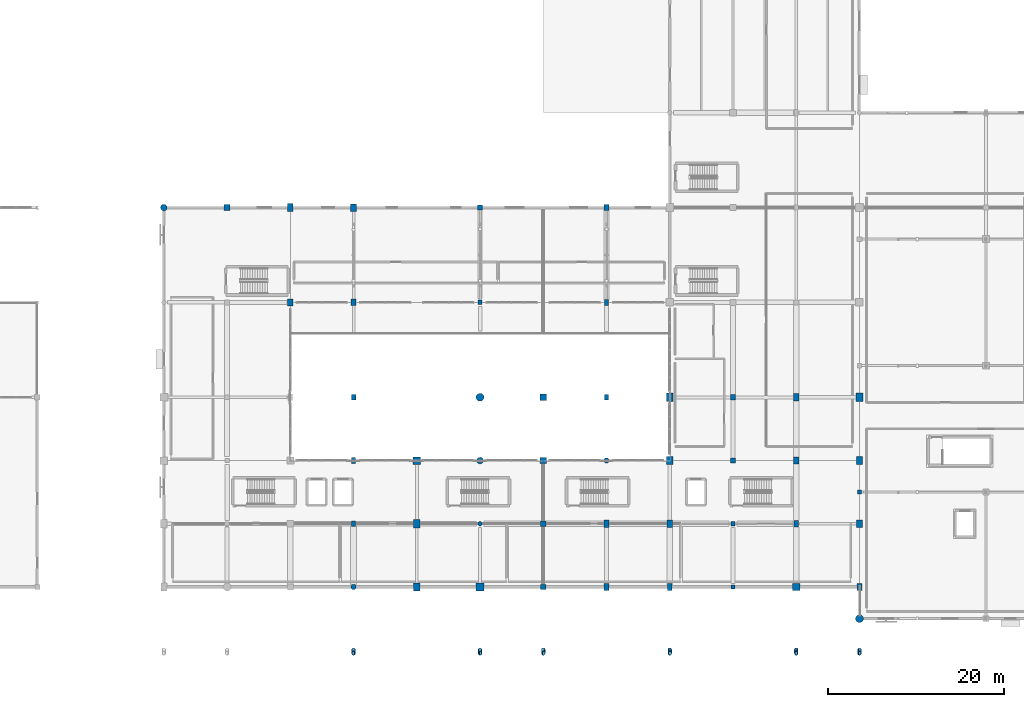
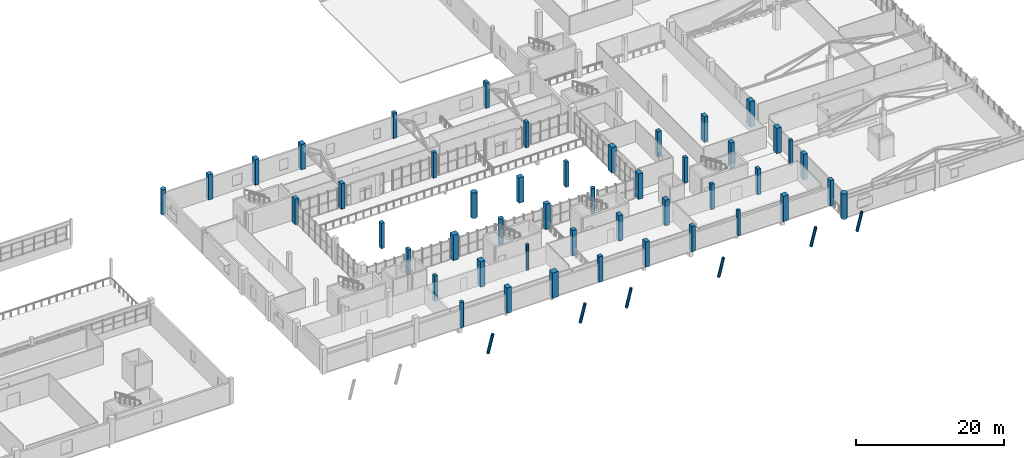
# One storey, part 6 of 92: 53 columns.
"""IFC4 building model written with IfcOpenShell, lengths in metres."""

from ifc_helpers import new_model, si_unit, direction, frame, origin, origin_2d, place, context, subcontext, project, spatial, rectangle, circle, hollow_circle, extrude, material, material_profile, profile_set, type_object, element, save


model = new_model("IFC4")

# Units and contexts
model_context = context("Model", 3, precision=1e-05, world=origin(), true_north=direction((0.0, 1.0)))
body_context = subcontext(model_context, "Body", "Model", "MODEL_VIEW")
ifc_project = project(units=[si_unit("LENGTHUNIT", "METRE"), si_unit("AREAUNIT", "SQUARE_METRE"), si_unit("VOLUMEUNIT", "CUBIC_METRE"), si_unit("PLANEANGLEUNIT", "RADIAN"), si_unit("MASSUNIT", "GRAM", prefix="KILO")], contexts=[model_context])

# Site, building, storey
site_placement = place(None, origin())
site = spatial("IfcSite", under=ifc_project, at=site_placement, CompositionType="ELEMENT")
building_placement = place(site_placement, origin())
building = spatial("IfcBuilding", under=site, at=building_placement, Name="Solanera Park Tramway Depot", CompositionType="ELEMENT")
storey_placement = place(building_placement, frame((0.0, 0.0, 4.800048828125)))
storey = spatial("IfcBuildingStorey", under=building, at=storey_placement, Name="L01", CompositionType="ELEMENT", Elevation=4.800048828125)

# Columns
ifc_material_1 = material(Name="Concrete N40 (C40/50)", Category="concrete")
ifc_material_profile_1 = material_profile(ifc_material_1, rectangle(XDim=0.449951171875, YDim=0.449951171875, at=origin_2d()), Name="RC 450x450")
ifc_profile_set_1 = profile_set([ifc_material_profile_1], Name="Concrete N40 (C40/50)")
column_type_1 = type_object("IfcColumnType", Name="RC Column Ext RC 450x450", PredefinedType="COLUMN", material=ifc_profile_set_1)
for number, where, z_axis, x_axis, name in (
    (1, (172.800048828125, 10.800048828125, 0.0), (0.0, 0.0, 1.0), (1.0, 0.0, 0.0), "L01 Column V4-X1728-Y108"),
    (2, (187.199951171875, 21.60009765625, 0.0), (0.0, 0.0, 1.0), (1.0, 0.0, 0.0), "L01 Column V5-X1872-Y216"),
):
    element("IfcColumn", number, at=place(storey_placement, frame(where, z_axis=z_axis, x_axis=x_axis)), inside=storey, type_object=column_type_1, Name=name, PredefinedType="COLUMN", context=body_context, shape_type="SweptSolid", body=[
        extrude(rectangle(XDim=0.449951171875, YDim=0.449951171875, at=origin_2d()), origin(), (0.0, 0.0, 1.0), 4.199951171875),
    ])
ifc_material_2 = material(Name="Concrete N40 (C40/50)", Category="concrete")
ifc_material_profile_2 = material_profile(ifc_material_2, rectangle(XDim=0.550048828125, YDim=0.550048828125, at=origin_2d()), Name="RC 550x550")
ifc_profile_set_2 = profile_set([ifc_material_profile_2], Name="Concrete N40 (C40/50)")
column_type_2 = type_object("IfcColumnType", Name="RC Column Ext RC 550x550", PredefinedType="COLUMN", material=ifc_profile_set_2)
column_1_placement = place(storey_placement, frame((144.0, 54.0, 0.0), z_axis=(0.0, 0.0, 1.0), x_axis=(1.0, 0.0, 0.0)))
element("IfcColumn", 3, at=column_1_placement, inside=storey, type_object=column_type_2, Name="L01 Column V4-X1440-Y540", PredefinedType="COLUMN", context=body_context, shape_type="SweptSolid", body=[
    extrude(rectangle(XDim=0.550048828125, YDim=0.550048828125, at=origin_2d()), origin(), (0.0, 0.0, 1.0), 4.199951171875),
])
ifc_material_3 = material(Name="Concrete N40 (C40/50)", Category="concrete")
ifc_material_profile_3 = material_profile(ifc_material_3, rectangle(XDim=0.550048828125, YDim=0.699951171875, at=origin_2d()), Name="RC 550x700")
ifc_profile_set_3 = profile_set([ifc_material_profile_3], Name="Concrete N40 (C40/50)")
column_type_3 = type_object("IfcColumnType", Name="RC Column Ext RC 550x700", PredefinedType="COLUMN", material=ifc_profile_set_3)
column_2_placement = place(storey_placement, frame((158.39990234375, 54.0, 0.0), z_axis=(0.0, 0.0, 1.0), x_axis=(1.0, 0.0, 0.0)))
element("IfcColumn", 4, at=column_2_placement, inside=storey, type_object=column_type_3, Name="L01 Column V4-X1584-Y540", PredefinedType="COLUMN", context=body_context, shape_type="SweptSolid", body=[
    extrude(rectangle(XDim=0.550048828125, YDim=0.699951171875, at=origin_2d()), origin(), (0.0, 0.0, 1.0), 4.199951171875),
])
ifc_material_4 = material(Name="Concrete N40 (C40/50)", Category="concrete")
ifc_material_profile_4 = material_profile(ifc_material_4, rectangle(XDim=0.550048828125, YDim=0.75, at=origin_2d()), Name="RC 550x750")
ifc_profile_set_4 = profile_set([ifc_material_profile_4], Name="Concrete N40 (C40/50)")
column_type_4 = type_object("IfcColumnType", Name="RC Column Ext RC 550x750", PredefinedType="COLUMN", material=ifc_profile_set_4)
for number, where, z_axis, x_axis, name in (
    (5, (165.60009765625, 10.800048828125, 0.0), (0.0, 0.0, 1.0), (1.0, 0.0, 0.0), "L01 Column V4-X1656-Y108"),
    (6, (187.199951171875, 10.800048828125, 0.0), (0.0, 0.0, 1.0), (1.0, 0.0, 0.0), "L01 Column V4-X1872-Y108"),
):
    element("IfcColumn", number, at=place(storey_placement, frame(where, z_axis=z_axis, x_axis=x_axis)), inside=storey, type_object=column_type_4, Name=name, PredefinedType="COLUMN", context=body_context, shape_type="SweptSolid", body=[
        extrude(rectangle(XDim=0.550048828125, YDim=0.75, at=origin_2d()), origin(), (0.0, 0.0, 1.0), 4.199951171875),
    ])
ifc_material_5 = material(Name="Concrete N40 (C40/50)", Category="concrete")
ifc_material_profile_5 = material_profile(ifc_material_5, rectangle(XDim=0.60009765625, YDim=0.60009765625, at=origin_2d()), Name="RC 600x600")
ifc_profile_set_5 = profile_set([ifc_material_profile_5], Name="Concrete N40 (C40/50)")
column_type_5 = type_object("IfcColumnType", Name="RC Column Ext RC 600x600", PredefinedType="COLUMN", material=ifc_profile_set_5)
column_3_placement = place(storey_placement, frame((151.199951171875, 10.800048828125, 0.0), z_axis=(0.0, 0.0, 1.0), x_axis=(1.0, 0.0, 0.0)))
element("IfcColumn", 7, at=column_3_placement, inside=storey, type_object=column_type_5, Name="L01 Column V4-X1512-Y108", PredefinedType="COLUMN", context=body_context, shape_type="SweptSolid", body=[
    extrude(rectangle(XDim=0.60009765625, YDim=0.60009765625, at=origin_2d()), origin(), (0.0, 0.0, 1.0), 4.199951171875),
])
ifc_material_6 = material(Name="Concrete N40 (C40/50)", Category="concrete")
ifc_material_profile_6 = material_profile(ifc_material_6, rectangle(XDim=0.60009765625, YDim=0.800048828125, at=origin_2d()), Name="RC 600x800")
ifc_profile_set_6 = profile_set([ifc_material_profile_6], Name="Concrete N40 (C40/50)")
column_type_6 = type_object("IfcColumnType", Name="RC Column Ext RC 600x800", PredefinedType="COLUMN", material=ifc_profile_set_6)
column_4_placement = place(storey_placement, frame((158.39990234375, 10.800048828125, 0.0), z_axis=(0.0, 0.0, 1.0), x_axis=(1.0, 0.0, 0.0)))
element("IfcColumn", 8, at=column_4_placement, inside=storey, type_object=column_type_6, Name="L01 Column V4-X1584-Y108", PredefinedType="COLUMN", context=body_context, shape_type="SweptSolid", body=[
    extrude(rectangle(XDim=0.60009765625, YDim=0.800048828125, at=origin_2d()), origin(), (0.0, 0.0, 1.0), 4.199951171875),
])
ifc_material_7 = material(Name="Concrete N40 (C40/50)", Category="concrete")
ifc_material_profile_7 = material_profile(ifc_material_7, rectangle(XDim=0.60009765625, YDim=0.89990234375, at=origin_2d()), Name="RC 600x900")
ifc_profile_set_7 = profile_set([ifc_material_profile_7], Name="Concrete N40 (C40/50)")
column_type_7 = type_object("IfcColumnType", Name="RC Column Ext RC 600x900", PredefinedType="COLUMN", material=ifc_profile_set_7)
column_5_placement = place(storey_placement, frame((122.39990234375, 54.0, 0.0), z_axis=(0.0, 0.0, 1.0), x_axis=(1.0, 0.0, 0.0)))
element("IfcColumn", 9, at=column_5_placement, inside=storey, type_object=column_type_7, Name="L01 Column V4-X1224-Y540", PredefinedType="COLUMN", context=body_context, shape_type="SweptSolid", body=[
    extrude(rectangle(XDim=0.60009765625, YDim=0.89990234375, at=origin_2d()), origin(), (0.0, 0.0, 1.0), 4.199951171875),
])
ifc_material_8 = material(Name="Concrete N40 (C40/50)", Category="concrete")
ifc_material_profile_8 = material_profile(ifc_material_8, rectangle(XDim=0.64990234375, YDim=0.64990234375, at=origin_2d()), Name="RC 650x650")
ifc_profile_set_8 = profile_set([ifc_material_profile_8], Name="Concrete N40 (C40/50)")
column_type_8 = type_object("IfcColumnType", Name="RC Column Ext RC 650x650", PredefinedType="COLUMN", material=ifc_profile_set_8)
column_6_placement = place(storey_placement, frame((115.199951171875, 54.0, 0.0), z_axis=(0.0, 0.0, 1.0), x_axis=(1.0, 0.0, 0.0)))
element("IfcColumn", 10, at=column_6_placement, inside=storey, type_object=column_type_8, Name="L01 Column V4-X1152-Y540", PredefinedType="COLUMN", context=body_context, shape_type="SweptSolid", body=[
    extrude(rectangle(XDim=0.64990234375, YDim=0.64990234375, at=origin_2d()), origin(), (0.0, 0.0, 1.0), 4.199951171875),
])
ifc_material_9 = material(Name="Concrete N40 (C40/50)", Category="concrete")
ifc_material_profile_9 = material_profile(ifc_material_9, rectangle(XDim=0.64990234375, YDim=0.85009765625, at=origin_2d()), Name="RC 650x850")
ifc_profile_set_9 = profile_set([ifc_material_profile_9], Name="Concrete N40 (C40/50)")
column_type_9 = type_object("IfcColumnType", Name="RC Column Ext RC 650x850", PredefinedType="COLUMN", material=ifc_profile_set_9)
for number, where, z_axis, x_axis, name in (
    (11, (129.60009765625, 54.0, 0.0), (0.0, 0.0, 1.0), (1.0, 0.0, 0.0), "L01 Column V4-X1296-Y540"),
    (12, (187.199951171875, 18.0, 0.0), (0.0, 0.0, 1.0), (1.0, 0.0, 0.0), "L01 Column V4-X1872-Y180"),
):
    element("IfcColumn", number, at=place(storey_placement, frame(where, z_axis=z_axis, x_axis=x_axis)), inside=storey, type_object=column_type_9, Name=name, PredefinedType="COLUMN", context=body_context, shape_type="SweptSolid", body=[
        extrude(rectangle(XDim=0.64990234375, YDim=0.85009765625, at=origin_2d()), origin(), (0.0, 0.0, 1.0), 4.199951171875),
    ])
ifc_material_10 = material(Name="Concrete N40 (C40/50)", Category="concrete")
ifc_material_profile_10 = material_profile(ifc_material_10, rectangle(XDim=0.699951171875, YDim=0.89990234375, at=origin_2d()), Name="RC 700x900")
ifc_profile_set_10 = profile_set([ifc_material_profile_10], Name="Concrete N40 (C40/50)")
column_type_10 = type_object("IfcColumnType", Name="RC Column Ext RC 700x900", PredefinedType="COLUMN", material=ifc_profile_set_10)
for number, where, z_axis, x_axis, name in (
    (13, (136.800048828125, 10.800048828125, 0.0), (0.0, 0.0, 1.0), (1.0, 0.0, 0.0), "L01 Column V4-X1368-Y108"),
    (14, (187.199951171875, 25.199951171875, 0.0), (0.0, 0.0, 1.0), (1.0, 0.0, 0.0), "L01 Column V4-X1872-Y252"),
):
    element("IfcColumn", number, at=place(storey_placement, frame(where, z_axis=z_axis, x_axis=x_axis)), inside=storey, type_object=column_type_10, Name=name, PredefinedType="COLUMN", context=body_context, shape_type="SweptSolid", body=[
        extrude(rectangle(XDim=0.699951171875, YDim=0.89990234375, at=origin_2d()), origin(), (0.0, 0.0, 1.0), 4.199951171875),
    ])
ifc_material_11 = material(Name="Concrete N40 (C40/50)", Category="concrete")
ifc_material_profile_11 = material_profile(ifc_material_11, rectangle(XDim=0.75, YDim=0.949951171875, at=origin_2d()), Name="RC 750x950")
ifc_profile_set_11 = profile_set([ifc_material_profile_11], Name="Concrete N40 (C40/50)")
column_type_11 = type_object("IfcColumnType", Name="RC Column Ext RC 750x950", PredefinedType="COLUMN", material=ifc_profile_set_11)
column_7_placement = place(storey_placement, frame((187.199951171875, 32.39990234375, 0.0), z_axis=(0.0, 0.0, 1.0), x_axis=(1.0, 0.0, 0.0)))
element("IfcColumn", 15, at=column_7_placement, inside=storey, type_object=column_type_11, Name="L01 Column V4-X1872-Y324", PredefinedType="COLUMN", context=body_context, shape_type="SweptSolid", body=[
    extrude(rectangle(XDim=0.75, YDim=0.949951171875, at=origin_2d()), origin(), (0.0, 0.0, 1.0), 4.199951171875),
])
ifc_material_12 = material(Name="Concrete N40 (C40/50)", Category="concrete")
ifc_material_profile_12 = material_profile(ifc_material_12, rectangle(XDim=0.800048828125, YDim=0.800048828125, at=origin_2d()), Name="RC 800x800")
ifc_profile_set_12 = profile_set([ifc_material_profile_12], Name="Concrete N40 (C40/50)")
column_type_12 = type_object("IfcColumnType", Name="RC Column Ext RC 800x800", PredefinedType="COLUMN", material=ifc_profile_set_12)
column_8_placement = place(storey_placement, frame((180.0, 10.800048828125, 0.0), z_axis=(0.0, 0.0, 1.0), x_axis=(1.0, 0.0, 0.0)))
element("IfcColumn", 16, at=column_8_placement, inside=storey, type_object=column_type_12, Name="L01 Column V4-X1800-Y108", PredefinedType="COLUMN", context=body_context, shape_type="SweptSolid", body=[
    extrude(rectangle(XDim=0.800048828125, YDim=0.800048828125, at=origin_2d()), origin(), (0.0, 0.0, 1.0), 4.199951171875),
])
ifc_material_13 = material(Name="Concrete N40 (C40/50)", Category="concrete")
ifc_material_profile_13 = material_profile(ifc_material_13, rectangle(XDim=0.89990234375, YDim=0.89990234375, at=origin_2d()), Name="RC 900x900")
ifc_profile_set_13 = profile_set([ifc_material_profile_13], Name="Concrete N40 (C40/50)")
column_type_13 = type_object("IfcColumnType", Name="RC Column Ext RC 900x900", PredefinedType="COLUMN", material=ifc_profile_set_13)
column_9_placement = place(storey_placement, frame((144.0, 10.800048828125, 0.0), z_axis=(0.0, 0.0, 1.0), x_axis=(1.0, 0.0, 0.0)))
element("IfcColumn", 17, at=column_9_placement, inside=storey, type_object=column_type_13, Name="L01 Column V4-X1440-Y108", PredefinedType="COLUMN", context=body_context, shape_type="SweptSolid", body=[
    extrude(rectangle(XDim=0.89990234375, YDim=0.89990234375, at=origin_2d()), origin(), (0.0, 0.0, 1.0), 4.199951171875),
])
ifc_material_14 = material(Name="Concrete N40 (C40/50)", Category="concrete")
ifc_material_profile_14 = material_profile(ifc_material_14, circle(Radius=0.300048828125, at=origin_2d()), Name="RC D600")
ifc_profile_set_14 = profile_set([ifc_material_profile_14], Name="Concrete N40 (C40/50)")
column_type_14 = type_object("IfcColumnType", Name="RC Column Ext RC D600", PredefinedType="COLUMN", material=ifc_profile_set_14)
column_10_placement = place(storey_placement, frame((129.60009765625, 10.800048828125, 0.0), z_axis=(0.0, 0.0, 1.0), x_axis=(1.0, 0.0, 0.0)))
element("IfcColumn", 18, at=column_10_placement, inside=storey, type_object=column_type_14, Name="L01 Column V4-X1296-Y108", PredefinedType="COLUMN", context=body_context, shape_type="SweptSolid", body=[
    extrude(circle(Radius=0.300048828125, at=origin_2d()), origin(), (0.0, 0.0, 1.0), 4.199951171875),
])
ifc_material_15 = material(Name="Concrete N40 (C40/50)", Category="concrete")
ifc_material_profile_15 = material_profile(ifc_material_15, circle(Radius=0.375, at=origin_2d()), Name="RC D750")
ifc_profile_set_15 = profile_set([ifc_material_profile_15], Name="Concrete N40 (C40/50)")
column_type_15 = type_object("IfcColumnType", Name="RC Column Ext RC D750", PredefinedType="COLUMN", material=ifc_profile_set_15)
column_11_placement = place(storey_placement, frame((108.0, 54.0, 0.0), z_axis=(0.0, 0.0, 1.0), x_axis=(1.0, 0.0, 0.0)))
element("IfcColumn", 19, at=column_11_placement, inside=storey, type_object=column_type_15, Name="L01 Column V4-X1080-Y540", PredefinedType="COLUMN", context=body_context, shape_type="SweptSolid", body=[
    extrude(circle(Radius=0.375, at=origin_2d()), origin(), (0.0, 0.0, 1.0), 4.199951171875),
])
ifc_material_16 = material(Name="Concrete N40 (C40/50)", Category="concrete")
ifc_material_profile_16 = material_profile(ifc_material_16, circle(Radius=0.449951171875, at=origin_2d()), Name="RC D900")
ifc_profile_set_16 = profile_set([ifc_material_profile_16], Name="Concrete N40 (C40/50)")
column_type_16 = type_object("IfcColumnType", Name="RC Column Ext RC D900", PredefinedType="COLUMN", material=ifc_profile_set_16)
column_12_placement = place(storey_placement, frame((187.199951171875, 7.199951171875, 0.0), z_axis=(0.0, 0.0, 1.0), x_axis=(1.0, 0.0, 0.0)))
element("IfcColumn", 20, at=column_12_placement, inside=storey, type_object=column_type_16, Name="L01 Column V5-X1872-Y72", PredefinedType="COLUMN", context=body_context, shape_type="SweptSolid", body=[
    extrude(circle(Radius=0.449951171875, at=origin_2d()), origin(), (0.0, 0.0, 1.0), 4.199951171875),
])
ifc_material_17 = material(Name="Concrete N40 (C40/50)", Category="concrete")
ifc_material_profile_17 = material_profile(ifc_material_17, rectangle(XDim=0.449951171875, YDim=0.60009765625, at=origin_2d()), Name="RC 450x600")
ifc_profile_set_17 = profile_set([ifc_material_profile_17], Name="Concrete N40 (C40/50)")
column_type_17 = type_object("IfcColumnType", Name="RC Column Int RC 450x600", PredefinedType="COLUMN", material=ifc_profile_set_17)
for number, where, z_axis, x_axis, name in (
    (21, (129.60009765625, 18.0, 0.0), (0.0, 0.0, 1.0), (1.0, 0.0, 0.0), "L01 Column V4-X1296-Y180"),
    (22, (158.39990234375, 32.39990234375, 0.0), (0.0, 0.0, 1.0), (1.0, 0.0, 0.0), "L01 Column V4-X1584-Y324"),
):
    element("IfcColumn", number, at=place(storey_placement, frame(where, z_axis=z_axis, x_axis=x_axis)), inside=storey, type_object=column_type_17, Name=name, PredefinedType="COLUMN", context=body_context, shape_type="SweptSolid", body=[
        extrude(rectangle(XDim=0.449951171875, YDim=0.60009765625, at=origin_2d()), origin(), (0.0, 0.0, 1.0), 4.199951171875),
    ])
ifc_material_18 = material(Name="Concrete N40 (C40/50)", Category="concrete")
ifc_material_profile_18 = material_profile(ifc_material_18, rectangle(XDim=0.449951171875, YDim=0.699951171875, at=origin_2d()), Name="RC 450x700")
ifc_profile_set_18 = profile_set([ifc_material_profile_18], Name="Concrete N40 (C40/50)")
column_type_18 = type_object("IfcColumnType", Name="RC Column Int RC 450x700", PredefinedType="COLUMN", material=ifc_profile_set_18)
column_13_placement = place(storey_placement, frame((129.60009765625, 25.199951171875, 0.0), z_axis=(0.0, 0.0, 1.0), x_axis=(1.0, 0.0, 0.0)))
element("IfcColumn", 23, at=column_13_placement, inside=storey, type_object=column_type_18, Name="L01 Column V4-X1296-Y252", PredefinedType="COLUMN", context=body_context, shape_type="SweptSolid", body=[
    extrude(rectangle(XDim=0.449951171875, YDim=0.699951171875, at=origin_2d()), origin(), (0.0, 0.0, 1.0), 4.199951171875),
])
ifc_material_19 = material(Name="Concrete N40 (C40/50)", Category="concrete")
ifc_material_profile_19 = material_profile(ifc_material_19, rectangle(XDim=0.5, YDim=0.5, at=origin_2d()), Name="RC 500x500")
ifc_profile_set_19 = profile_set([ifc_material_profile_19], Name="Concrete N40 (C40/50)")
column_type_19 = type_object("IfcColumnType", Name="RC Column Int RC 500x500", PredefinedType="COLUMN", material=ifc_profile_set_19)
for number, where, z_axis, x_axis, name in (
    (24, (144.0, 43.199951171875, 0.0), (0.0, 0.0, 1.0), (1.0, 0.0, 0.0), "L01 Column V4-X1440-Y432"),
    (25, (172.800048828125, 18.0, 0.0), (0.0, 0.0, 1.0), (1.0, 0.0, 0.0), "L01 Column V4-X1728-Y180"),
):
    element("IfcColumn", number, at=place(storey_placement, frame(where, z_axis=z_axis, x_axis=x_axis)), inside=storey, type_object=column_type_19, Name=name, PredefinedType="COLUMN", context=body_context, shape_type="SweptSolid", body=[
        extrude(rectangle(XDim=0.5, YDim=0.5, at=origin_2d()), origin(), (0.0, 0.0, 1.0), 4.199951171875),
    ])
ifc_material_20 = material(Name="Concrete N40 (C40/50)", Category="concrete")
ifc_material_profile_20 = material_profile(ifc_material_20, rectangle(XDim=0.5, YDim=0.64990234375, at=origin_2d()), Name="RC 500x650")
ifc_profile_set_20 = profile_set([ifc_material_profile_20], Name="Concrete N40 (C40/50)")
column_type_20 = type_object("IfcColumnType", Name="RC Column Int RC 500x650", PredefinedType="COLUMN", material=ifc_profile_set_20)
for number, where, z_axis, x_axis, name in (
    (26, (129.60009765625, 32.39990234375, 0.0), (0.0, 0.0, 1.0), (1.0, 0.0, 0.0), "L01 Column V4-X1296-Y324"),
    (27, (158.39990234375, 43.199951171875, 0.0), (0.0, 0.0, 1.0), (1.0, 0.0, 0.0), "L01 Column V4-X1584-Y432"),
):
    element("IfcColumn", number, at=place(storey_placement, frame(where, z_axis=z_axis, x_axis=x_axis)), inside=storey, type_object=column_type_20, Name=name, PredefinedType="COLUMN", context=body_context, shape_type="SweptSolid", body=[
        extrude(rectangle(XDim=0.5, YDim=0.64990234375, at=origin_2d()), origin(), (0.0, 0.0, 1.0), 4.199951171875),
    ])
ifc_material_21 = material(Name="Concrete N40 (C40/50)", Category="concrete")
ifc_material_profile_21 = material_profile(ifc_material_21, rectangle(XDim=0.5, YDim=0.699951171875, at=origin_2d()), Name="RC 500x700")
ifc_profile_set_21 = profile_set([ifc_material_profile_21], Name="Concrete N40 (C40/50)")
column_type_21 = type_object("IfcColumnType", Name="RC Column Int RC 500x700", PredefinedType="COLUMN", material=ifc_profile_set_21)
column_14_placement = place(storey_placement, frame((180.0, 18.0, 0.0), z_axis=(0.0, 0.0, 1.0), x_axis=(1.0, 0.0, 0.0)))
element("IfcColumn", 28, at=column_14_placement, inside=storey, type_object=column_type_21, Name="L01 Column V4-X1800-Y180", PredefinedType="COLUMN", context=body_context, shape_type="SweptSolid", body=[
    extrude(rectangle(XDim=0.5, YDim=0.699951171875, at=origin_2d()), origin(), (0.0, 0.0, 1.0), 4.199951171875),
])
ifc_material_22 = material(Name="Concrete N40 (C40/50)", Category="concrete")
ifc_material_profile_22 = material_profile(ifc_material_22, rectangle(XDim=0.550048828125, YDim=0.550048828125, at=origin_2d()), Name="RC 550x550")
ifc_profile_set_22 = profile_set([ifc_material_profile_22], Name="Concrete N40 (C40/50)")
column_type_22 = type_object("IfcColumnType", Name="RC Column Int RC 550x550", PredefinedType="COLUMN", material=ifc_profile_set_22)
column_15_placement = place(storey_placement, frame((172.800048828125, 25.199951171875, 0.0), z_axis=(0.0, 0.0, 1.0), x_axis=(1.0, 0.0, 0.0)))
element("IfcColumn", 29, at=column_15_placement, inside=storey, type_object=column_type_22, Name="L01 Column V4-X1728-Y252", PredefinedType="COLUMN", context=body_context, shape_type="SweptSolid", body=[
    extrude(rectangle(XDim=0.550048828125, YDim=0.550048828125, at=origin_2d()), origin(), (0.0, 0.0, 1.0), 4.199951171875),
])
ifc_material_23 = material(Name="Concrete N40 (C40/50)", Category="concrete")
ifc_material_profile_23 = material_profile(ifc_material_23, rectangle(XDim=0.550048828125, YDim=0.75, at=origin_2d()), Name="RC 550x750")
ifc_profile_set_23 = profile_set([ifc_material_profile_23], Name="Concrete N40 (C40/50)")
column_type_23 = type_object("IfcColumnType", Name="RC Column Int RC 550x750", PredefinedType="COLUMN", material=ifc_profile_set_23)
column_16_placement = place(storey_placement, frame((129.60009765625, 43.199951171875, 0.0), z_axis=(0.0, 0.0, 1.0), x_axis=(1.0, 0.0, 0.0)))
element("IfcColumn", 30, at=column_16_placement, inside=storey, type_object=column_type_23, Name="L01 Column V4-X1296-Y432", PredefinedType="COLUMN", context=body_context, shape_type="SweptSolid", body=[
    extrude(rectangle(XDim=0.550048828125, YDim=0.75, at=origin_2d()), origin(), (0.0, 0.0, 1.0), 4.199951171875),
])
ifc_material_24 = material(Name="Concrete N40 (C40/50)", Category="concrete")
ifc_material_profile_24 = material_profile(ifc_material_24, rectangle(XDim=0.60009765625, YDim=0.60009765625, at=origin_2d()), Name="RC 600x600")
ifc_profile_set_24 = profile_set([ifc_material_profile_24], Name="Concrete N40 (C40/50)")
column_type_24 = type_object("IfcColumnType", Name="RC Column Int RC 600x600", PredefinedType="COLUMN", material=ifc_profile_set_24)
column_17_placement = place(storey_placement, frame((172.800048828125, 32.39990234375, 0.0), z_axis=(0.0, 0.0, 1.0), x_axis=(1.0, 0.0, 0.0)))
element("IfcColumn", 31, at=column_17_placement, inside=storey, type_object=column_type_24, Name="L01 Column V4-X1728-Y324", PredefinedType="COLUMN", context=body_context, shape_type="SweptSolid", body=[
    extrude(rectangle(XDim=0.60009765625, YDim=0.60009765625, at=origin_2d()), origin(), (0.0, 0.0, 1.0), 4.199951171875),
])
ifc_material_25 = material(Name="Concrete N40 (C40/50)", Category="concrete")
ifc_material_profile_25 = material_profile(ifc_material_25, rectangle(XDim=0.60009765625, YDim=0.800048828125, at=origin_2d()), Name="RC 600x800")
ifc_profile_set_25 = profile_set([ifc_material_profile_25], Name="Concrete N40 (C40/50)")
column_type_25 = type_object("IfcColumnType", Name="RC Column Int RC 600x800", PredefinedType="COLUMN", material=ifc_profile_set_25)
for number, where, z_axis, x_axis, name in (
    (32, (122.39990234375, 43.199951171875, 0.0), (0.0, 0.0, 1.0), (1.0, 0.0, 0.0), "L01 Column V4-X1224-Y432"),
    (33, (180.0, 25.199951171875, 0.0), (0.0, 0.0, 1.0), (1.0, 0.0, 0.0), "L01 Column V4-X1800-Y252"),
):
    element("IfcColumn", number, at=place(storey_placement, frame(where, z_axis=z_axis, x_axis=x_axis)), inside=storey, type_object=column_type_25, Name=name, PredefinedType="COLUMN", context=body_context, shape_type="SweptSolid", body=[
        extrude(rectangle(XDim=0.60009765625, YDim=0.800048828125, at=origin_2d()), origin(), (0.0, 0.0, 1.0), 4.199951171875),
    ])
ifc_material_26 = material(Name="Concrete N40 (C40/50)", Category="concrete")
ifc_material_profile_26 = material_profile(ifc_material_26, rectangle(XDim=0.60009765625, YDim=0.89990234375, at=origin_2d()), Name="RC 600x900")
ifc_profile_set_26 = profile_set([ifc_material_profile_26], Name="Concrete N40 (C40/50)")
column_type_26 = type_object("IfcColumnType", Name="RC Column Int RC 600x900", PredefinedType="COLUMN", material=ifc_profile_set_26)
for number, where, z_axis, x_axis, name in (
    (34, (158.39990234375, 18.0, 0.0), (0.0, 0.0, 1.0), (1.0, 0.0, 0.0), "L01 Column V4-X1584-Y180"),
    (35, (180.0, 32.39990234375, 0.0), (0.0, 0.0, 1.0), (1.0, 0.0, 0.0), "L01 Column V4-X1800-Y324"),
):
    element("IfcColumn", number, at=place(storey_placement, frame(where, z_axis=z_axis, x_axis=x_axis)), inside=storey, type_object=column_type_26, Name=name, PredefinedType="COLUMN", context=body_context, shape_type="SweptSolid", body=[
        extrude(rectangle(XDim=0.60009765625, YDim=0.89990234375, at=origin_2d()), origin(), (0.0, 0.0, 1.0), 4.199951171875),
    ])
ifc_material_27 = material(Name="Concrete N40 (C40/50)", Category="concrete")
ifc_material_profile_27 = material_profile(ifc_material_27, rectangle(XDim=0.64990234375, YDim=0.64990234375, at=origin_2d()), Name="RC 650x650")
ifc_profile_set_27 = profile_set([ifc_material_profile_27], Name="Concrete N40 (C40/50)")
column_type_27 = type_object("IfcColumnType", Name="RC Column Int RC 650x650", PredefinedType="COLUMN", material=ifc_profile_set_27)
column_18_placement = place(storey_placement, frame((151.199951171875, 18.0, 0.0), z_axis=(0.0, 0.0, 1.0), x_axis=(1.0, 0.0, 0.0)))
element("IfcColumn", 36, at=column_18_placement, inside=storey, type_object=column_type_27, Name="L01 Column V4-X1512-Y180", PredefinedType="COLUMN", context=body_context, shape_type="SweptSolid", body=[
    extrude(rectangle(XDim=0.64990234375, YDim=0.64990234375, at=origin_2d()), origin(), (0.0, 0.0, 1.0), 4.199951171875),
])
ifc_material_28 = material(Name="Concrete N40 (C40/50)", Category="concrete")
ifc_material_profile_28 = material_profile(ifc_material_28, rectangle(XDim=0.64990234375, YDim=0.85009765625, at=origin_2d()), Name="RC 650x850")
ifc_profile_set_28 = profile_set([ifc_material_profile_28], Name="Concrete N40 (C40/50)")
column_type_28 = type_object("IfcColumnType", Name="RC Column Int RC 650x850", PredefinedType="COLUMN", material=ifc_profile_set_28)
column_19_placement = place(storey_placement, frame((165.60009765625, 18.0, 0.0), z_axis=(0.0, 0.0, 1.0), x_axis=(1.0, 0.0, 0.0)))
element("IfcColumn", 37, at=column_19_placement, inside=storey, type_object=column_type_28, Name="L01 Column V4-X1656-Y180", PredefinedType="COLUMN", context=body_context, shape_type="SweptSolid", body=[
    extrude(rectangle(XDim=0.64990234375, YDim=0.85009765625, at=origin_2d()), origin(), (0.0, 0.0, 1.0), 4.199951171875),
])
ifc_material_29 = material(Name="Concrete N40 (C40/50)", Category="concrete")
ifc_material_profile_29 = material_profile(ifc_material_29, rectangle(XDim=0.699951171875, YDim=0.699951171875, at=origin_2d()), Name="RC 700x700")
ifc_profile_set_29 = profile_set([ifc_material_profile_29], Name="Concrete N40 (C40/50)")
column_type_29 = type_object("IfcColumnType", Name="RC Column Int RC 700x700", PredefinedType="COLUMN", material=ifc_profile_set_29)
column_20_placement = place(storey_placement, frame((151.199951171875, 25.199951171875, 0.0), z_axis=(0.0, 0.0, 1.0), x_axis=(1.0, 0.0, 0.0)))
element("IfcColumn", 38, at=column_20_placement, inside=storey, type_object=column_type_29, Name="L01 Column V4-X1512-Y252", PredefinedType="COLUMN", context=body_context, shape_type="SweptSolid", body=[
    extrude(rectangle(XDim=0.699951171875, YDim=0.699951171875, at=origin_2d()), origin(), (0.0, 0.0, 1.0), 4.199951171875),
])
ifc_material_30 = material(Name="Concrete N40 (C40/50)", Category="concrete")
ifc_material_profile_30 = material_profile(ifc_material_30, rectangle(XDim=0.699951171875, YDim=0.89990234375, at=origin_2d()), Name="RC 700x900")
ifc_profile_set_30 = profile_set([ifc_material_profile_30], Name="Concrete N40 (C40/50)")
column_type_30 = type_object("IfcColumnType", Name="RC Column Int RC 700x900", PredefinedType="COLUMN", material=ifc_profile_set_30)
column_21_placement = place(storey_placement, frame((165.60009765625, 25.199951171875, 0.0), z_axis=(0.0, 0.0, 1.0), x_axis=(1.0, 0.0, 0.0)))
element("IfcColumn", 39, at=column_21_placement, inside=storey, type_object=column_type_30, Name="L01 Column V4-X1656-Y252", PredefinedType="COLUMN", context=body_context, shape_type="SweptSolid", body=[
    extrude(rectangle(XDim=0.699951171875, YDim=0.89990234375, at=origin_2d()), origin(), (0.0, 0.0, 1.0), 4.199951171875),
])
ifc_material_31 = material(Name="Concrete N40 (C40/50)", Category="concrete")
ifc_material_profile_31 = material_profile(ifc_material_31, rectangle(XDim=0.75, YDim=0.75, at=origin_2d()), Name="RC 750x750")
ifc_profile_set_31 = profile_set([ifc_material_profile_31], Name="Concrete N40 (C40/50)")
column_type_31 = type_object("IfcColumnType", Name="RC Column Int RC 750x750", PredefinedType="COLUMN", material=ifc_profile_set_31)
column_22_placement = place(storey_placement, frame((151.199951171875, 32.39990234375, 0.0), z_axis=(0.0, 0.0, 1.0), x_axis=(1.0, 0.0, 0.0)))
element("IfcColumn", 40, at=column_22_placement, inside=storey, type_object=column_type_31, Name="L01 Column V4-X1512-Y324", PredefinedType="COLUMN", context=body_context, shape_type="SweptSolid", body=[
    extrude(rectangle(XDim=0.75, YDim=0.75, at=origin_2d()), origin(), (0.0, 0.0, 1.0), 4.199951171875),
])
ifc_material_32 = material(Name="Concrete N40 (C40/50)", Category="concrete")
ifc_material_profile_32 = material_profile(ifc_material_32, rectangle(XDim=0.75, YDim=0.949951171875, at=origin_2d()), Name="RC 750x950")
ifc_profile_set_32 = profile_set([ifc_material_profile_32], Name="Concrete N40 (C40/50)")
column_type_32 = type_object("IfcColumnType", Name="RC Column Int RC 750x950", PredefinedType="COLUMN", material=ifc_profile_set_32)
for number, where, z_axis, x_axis, name in (
    (41, (136.800048828125, 18.0, 0.0), (0.0, 0.0, 1.0), (1.0, 0.0, 0.0), "L01 Column V4-X1368-Y180"),
    (42, (165.60009765625, 32.39990234375, 0.0), (0.0, 0.0, 1.0), (1.0, 0.0, 0.0), "L01 Column V4-X1656-Y324"),
):
    element("IfcColumn", number, at=place(storey_placement, frame(where, z_axis=z_axis, x_axis=x_axis)), inside=storey, type_object=column_type_32, Name=name, PredefinedType="COLUMN", context=body_context, shape_type="SweptSolid", body=[
        extrude(rectangle(XDim=0.75, YDim=0.949951171875, at=origin_2d()), origin(), (0.0, 0.0, 1.0), 4.199951171875),
    ])
ifc_material_33 = material(Name="Concrete N40 (C40/50)", Category="concrete")
ifc_material_profile_33 = material_profile(ifc_material_33, rectangle(XDim=0.85009765625, YDim=0.85009765625, at=origin_2d()), Name="RC 850x850")
ifc_profile_set_33 = profile_set([ifc_material_profile_33], Name="Concrete N40 (C40/50)")
column_type_33 = type_object("IfcColumnType", Name="RC Column Int RC 850x850", PredefinedType="COLUMN", material=ifc_profile_set_33)
column_23_placement = place(storey_placement, frame((136.800048828125, 25.199951171875, 0.0), z_axis=(0.0, 0.0, 1.0), x_axis=(1.0, 0.0, 0.0)))
element("IfcColumn", 43, at=column_23_placement, inside=storey, type_object=column_type_33, Name="L01 Column V4-X1368-Y252", PredefinedType="COLUMN", context=body_context, shape_type="SweptSolid", body=[
    extrude(rectangle(XDim=0.85009765625, YDim=0.85009765625, at=origin_2d()), origin(), (0.0, 0.0, 1.0), 4.199951171875),
])
ifc_material_34 = material(Name="Concrete N40 (C40/50)", Category="concrete")
ifc_material_profile_34 = material_profile(ifc_material_34, circle(Radius=0.25, at=origin_2d()), Name="RC D500")
ifc_profile_set_34 = profile_set([ifc_material_profile_34], Name="Concrete N40 (C40/50)")
column_type_34 = type_object("IfcColumnType", Name="RC Column Int RC D500", PredefinedType="COLUMN", material=ifc_profile_set_34)
column_24_placement = place(storey_placement, frame((144.0, 18.0, 0.0), z_axis=(0.0, 0.0, 1.0), x_axis=(1.0, 0.0, 0.0)))
element("IfcColumn", 44, at=column_24_placement, inside=storey, type_object=column_type_34, Name="L01 Column V4-X1440-Y180", PredefinedType="COLUMN", context=body_context, shape_type="SweptSolid", body=[
    extrude(circle(Radius=0.25, at=origin_2d()), origin(), (0.0, 0.0, 1.0), 4.199951171875),
])
ifc_material_35 = material(Name="Concrete N40 (C40/50)", Category="concrete")
ifc_material_profile_35 = material_profile(ifc_material_35, circle(Radius=0.300048828125, at=origin_2d()), Name="RC D600")
ifc_profile_set_35 = profile_set([ifc_material_profile_35], Name="Concrete N40 (C40/50)")
column_type_35 = type_object("IfcColumnType", Name="RC Column Int RC D600", PredefinedType="COLUMN", material=ifc_profile_set_35)
column_25_placement = place(storey_placement, frame((158.39990234375, 25.199951171875, 0.0), z_axis=(0.0, 0.0, 1.0), x_axis=(1.0, 0.0, 0.0)))
element("IfcColumn", 45, at=column_25_placement, inside=storey, type_object=column_type_35, Name="L01 Column V4-X1584-Y252", PredefinedType="COLUMN", context=body_context, shape_type="SweptSolid", body=[
    extrude(circle(Radius=0.300048828125, at=origin_2d()), origin(), (0.0, 0.0, 1.0), 4.199951171875),
])
ifc_material_36 = material(Name="Concrete N40 (C40/50)", Category="concrete")
ifc_material_profile_36 = material_profile(ifc_material_36, circle(Radius=0.375, at=origin_2d()), Name="RC D750")
ifc_profile_set_36 = profile_set([ifc_material_profile_36], Name="Concrete N40 (C40/50)")
column_type_36 = type_object("IfcColumnType", Name="RC Column Int RC D750", PredefinedType="COLUMN", material=ifc_profile_set_36)
column_26_placement = place(storey_placement, frame((144.0, 25.199951171875, 0.0), z_axis=(0.0, 0.0, 1.0), x_axis=(1.0, 0.0, 0.0)))
element("IfcColumn", 46, at=column_26_placement, inside=storey, type_object=column_type_36, Name="L01 Column V4-X1440-Y252", PredefinedType="COLUMN", context=body_context, shape_type="SweptSolid", body=[
    extrude(circle(Radius=0.375, at=origin_2d()), origin(), (0.0, 0.0, 1.0), 4.199951171875),
])
ifc_material_37 = material(Name="Concrete N40 (C40/50)", Category="concrete")
ifc_material_profile_37 = material_profile(ifc_material_37, circle(Radius=0.449951171875, at=origin_2d()), Name="RC D900")
ifc_profile_set_37 = profile_set([ifc_material_profile_37], Name="Concrete N40 (C40/50)")
column_type_37 = type_object("IfcColumnType", Name="RC Column Int RC D900", PredefinedType="COLUMN", material=ifc_profile_set_37)
column_27_placement = place(storey_placement, frame((144.0, 32.39990234375, 0.0), z_axis=(0.0, 0.0, 1.0), x_axis=(1.0, 0.0, 0.0)))
element("IfcColumn", 47, at=column_27_placement, inside=storey, type_object=column_type_37, Name="L01 Column V4-X1440-Y324", PredefinedType="COLUMN", context=body_context, shape_type="SweptSolid", body=[
    extrude(circle(Radius=0.449951171875, at=origin_2d()), origin(), (0.0, 0.0, 1.0), 4.199951171875),
])
ifc_material_38 = material(Name="Steel AS/NZS 1163 Grade C350L0", Category="steel")
ifc_material_profile_38 = material_profile(ifc_material_38, hollow_circle(Radius=0.228515625, WallThickness=0.0126953125, at=origin_2d()), Name="457.0x12.7 CHS")
ifc_profile_set_38 = profile_set([ifc_material_profile_38], Name="Steel AS/NZS 1163 Grade C350L0")
column_type_38 = type_object("IfcColumnType", Name="Steel Column Ext 457.0x12.7 CHS", PredefinedType="COLUMN", material=ifc_profile_set_38)
for number, where, z_axis, x_axis, name in (
    (48, (129.60009765625, 3.647705078125, 0.0), (0.0, -0.309409105715, 0.95092902222), (1.0, 0.0, 0.0), "L01 Raked Head-Block Support Column 02"),
    (49, (144.0, 3.647705078125, 0.0), (0.0, -0.309409105715, 0.95092902222), (1.0, 0.0, 0.0), "L01 Raked Head-Block Support Column 03"),
    (50, (151.199951171875, 3.647705078125, 0.0), (0.0, -0.309409105715, 0.95092902222), (1.0, 0.0, 0.0), "L01 Raked Head-Block Support Column 04"),
    (51, (165.60009765625, 3.647705078125, 0.0), (0.0, -0.309409105715, 0.95092902222), (1.0, 0.0, 0.0), "L01 Raked Head-Block Support Column 05"),
    (52, (180.0, 3.647705078125, 0.0), (0.0, -0.309409105715, 0.95092902222), (1.0, 0.0, 0.0), "L01 Raked Head-Block Support Column 06"),
    (53, (187.199951171875, 3.647705078125, 0.0), (0.0, -0.309409105715, 0.95092902222), (1.0, 0.0, 0.0), "L01 Raked Azotea Support Column 2"),
):
    element("IfcColumn", number, at=place(storey_placement, frame(where, z_axis=z_axis, x_axis=x_axis)), inside=storey, type_object=column_type_38, Name=name, PredefinedType="COLUMN", context=body_context, shape_type="SweptSolid", body=[
        extrude(hollow_circle(Radius=0.228515625, WallThickness=0.0126953125, at=origin_2d()), origin(), (0.0, 0.0, 1.0), 4.032958984375),
    ])

save(model, "model.ifc")
